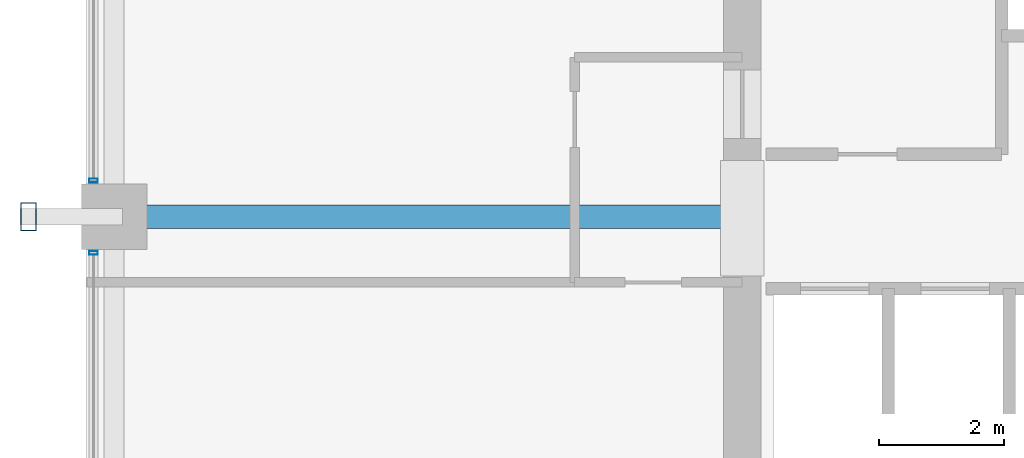
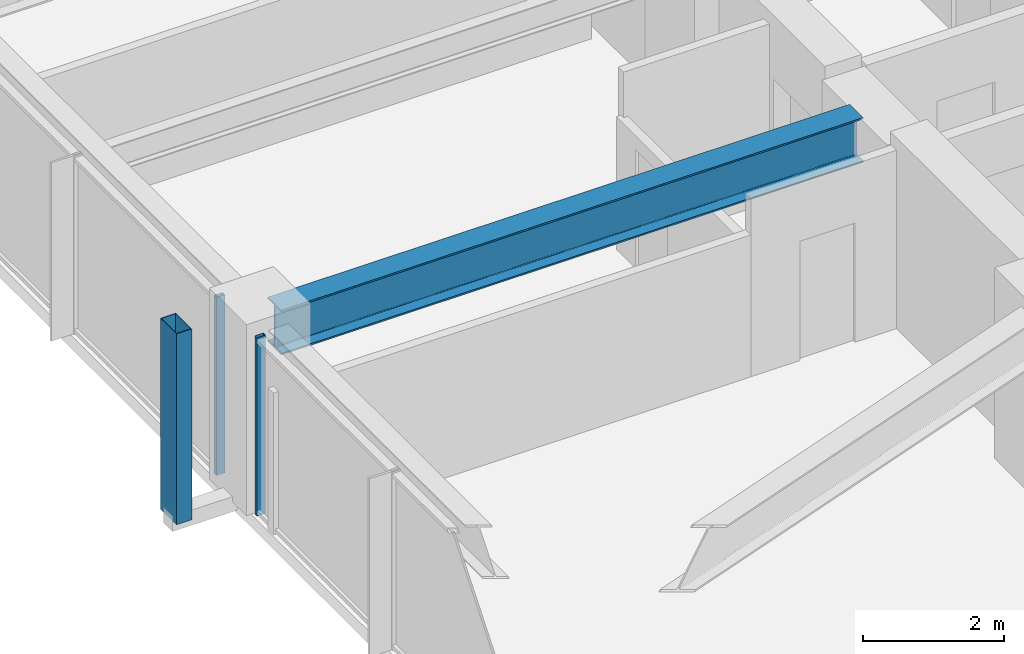
# One storey, part 8 of 38: 3 members, 1 beam, 2 elements without a shape of their own.
"""IFC4 building model written with IfcOpenShell, lengths in metres."""

from ifc_helpers import new_model, si_unit, direction, frame, origin, origin_2d, place, context, subcontext, project, spatial, hollow_rectangle, i_section, extrude, material, material_profile, profile_set, type_object, element, aggregate, save


model = new_model("IFC4")

# Units and contexts
model_context = context("Model", 3, precision=1e-05, world=origin(), true_north=direction((0.0, 1.0)))
body_context = subcontext(model_context, "Body", "Model", "MODEL_VIEW")
ifc_project = project(units=[si_unit("LENGTHUNIT", "METRE"), si_unit("AREAUNIT", "SQUARE_METRE"), si_unit("VOLUMEUNIT", "CUBIC_METRE"), si_unit("PLANEANGLEUNIT", "RADIAN"), si_unit("MASSUNIT", "GRAM", prefix="KILO")], contexts=[model_context])

# Site, building, storey
site_placement = place(None, origin())
site = spatial("IfcSite", under=ifc_project, at=site_placement, CompositionType="ELEMENT")
building_placement = place(site_placement, origin())
building = spatial("IfcBuilding", under=site, at=building_placement, Name="Kolvaren Belvedere", CompositionType="ELEMENT")
storey_placement = place(building_placement, frame((0.0, 0.0, 78.800048828125)))
storey = spatial("IfcBuildingStorey", under=building, at=storey_placement, Name="L22", CompositionType="ELEMENT", Elevation=78.800048828125)

# Beam
ifc_material_1 = material(Name="Structural steel ASTM A992 Grade 50", Category="steel")
ifc_material_profile_1 = material_profile(ifc_material_1, i_section(OverallWidth=0.381103515625, OverallDepth=0.77294921875, WebThickness=0.0166015625, FlangeThickness=0.027099609375, FilletRadius=0.02392578125, at=origin_2d()), Name="W30X173")
ifc_profile_set_1 = profile_set([ifc_material_profile_1], Name="Structural steel ASTM A992 Grade 50")
beam_type = type_object("IfcBeamType", Name="BM-GIRD-W30X173", PredefinedType="BEAM", material=ifc_profile_set_1)
beam_placement = place(storey_placement, frame((-10.199951171875, -4.60009765625, 2.693359375), z_axis=(-1.0, 0.0, 0.0), x_axis=(0.0, -1.0, 0.0)))
element("IfcBeam", 1, at=beam_placement, inside=storey, type_object=beam_type, Name="L22 West Radial Girder M", PredefinedType="BEAM", context=body_context, shape_type="SweptSolid", body=[
    extrude(i_section(OverallWidth=0.381103515625, OverallDepth=0.77294921875, WebThickness=0.0166015625, FlangeThickness=0.027099609375, FilletRadius=0.02392578125, at=origin_2d()), origin(), (0.0, 0.0, 1.0), 9.513916015625),
])

# Curtain wall, member
ifc_material_2 = material(Name="Anodised pale-metal aluminium AA 6063-T6", Category="aluminium")
curtain_wall_type = type_object("IfcCurtainWallType", Name="CW-Z2-MID", PredefinedType="NOTDEFINED", material=ifc_material_2)
curtain_wall_1_placement = place(storey_placement, origin())
curtain_wall_1 = element("IfcCurtainWall", 2, at=curtain_wall_1_placement, inside=storey, type_object=curtain_wall_type, Name="L22 Unitised Curtain Wall FCW-L22-W-B1", PredefinedType="NOTDEFINED")
ifc_material_3 = material(Name="Anodised pale-metal aluminium AA 6063-T6", Category="aluminium")
ifc_material_profile_2 = material_profile(ifc_material_3, hollow_rectangle(XDim=0.06494140625, YDim=0.139892578125, WallThickness=0.00390625, at=origin_2d()), Name="ALU-MUL-140X65")
ifc_profile_set_2 = profile_set([ifc_material_profile_2], Name="Anodised pale-metal aluminium AA 6063-T6")
member_type_1 = type_object("IfcMemberType", Name="CW-MUL-140", PredefinedType="MULLION", material=ifc_profile_set_2)
member_1_placement = place(storey_placement, frame((-20.280029296875, -5.177490234375, 0.0), z_axis=(0.0, 0.0, 1.0), x_axis=(0.0, 1.0, 0.0)))
member_1 = element("IfcMember", 3, at=member_1_placement, type_object=member_type_1, Name="FCW-L22-W-B1 Unitised Mullion 3", PredefinedType="MULLION", context=body_context, shape_type="SweptSolid", body=[
    extrude(hollow_rectangle(XDim=0.06494140625, YDim=0.139892578125, WallThickness=0.00390625, at=origin_2d()), origin(), (0.0, 0.0, 1.0), 3.079833984375),
])
aggregate(curtain_wall_1, [member_1])

curtain_wall_2_placement = place(storey_placement, origin())
curtain_wall_2 = element("IfcCurtainWall", 4, at=curtain_wall_2_placement, inside=storey, type_object=curtain_wall_type, Name="L22 Unitised Curtain Wall FCW-L22-W-B2", PredefinedType="NOTDEFINED")
member_2_placement = place(storey_placement, frame((-20.280029296875, -4.0224609375, 0.0), z_axis=(0.0, 0.0, 1.0), x_axis=(0.0, 1.0, 0.0)))
member_2 = element("IfcMember", 5, at=member_2_placement, type_object=member_type_1, Name="FCW-L22-W-B2 Unitised Mullion 1", PredefinedType="MULLION", context=body_context, shape_type="SweptSolid", body=[
    extrude(hollow_rectangle(XDim=0.06494140625, YDim=0.139892578125, WallThickness=0.00390625, at=origin_2d()), origin(), (0.0, 0.0, 1.0), 3.079833984375),
])
aggregate(curtain_wall_2, [member_2])

# Member
ifc_material_4 = material(Name="Anodised pale-metal aluminium AA 6063-T6", Category="aluminium")
ifc_material_profile_3 = material_profile(ifc_material_4, hollow_rectangle(XDim=0.25, YDim=0.449951171875, WallThickness=0.008544921875, at=origin_2d()), Name="ALU-PF-450X250")
ifc_profile_set_3 = profile_set([ifc_material_profile_3], Name="Anodised pale-metal aluminium AA 6063-T6")
member_type_2 = type_object("IfcMemberType", Name="PF-FRAME-450", PredefinedType="USERDEFINED", material=ifc_profile_set_3)
member_3_placement = place(storey_placement, frame((-21.320068359375, -4.60009765625, 0.0), z_axis=(0.0, 0.0, 1.0), x_axis=(1.0, 0.0, 0.0)))
element("IfcMember", 6, at=member_3_placement, inside=storey, type_object=member_type_2, Name="L22 Outboard Picture-Frame Vertical W1", ObjectType="PICTURE FRAME FIN", PredefinedType="USERDEFINED", context=body_context, shape_type="SweptSolid", body=[
    extrude(hollow_rectangle(XDim=0.25, YDim=0.449951171875, WallThickness=0.008544921875, at=origin_2d()), origin(), (0.0, 0.0, 1.0), 3.300048828125),
])

save(model, "model.ifc")
